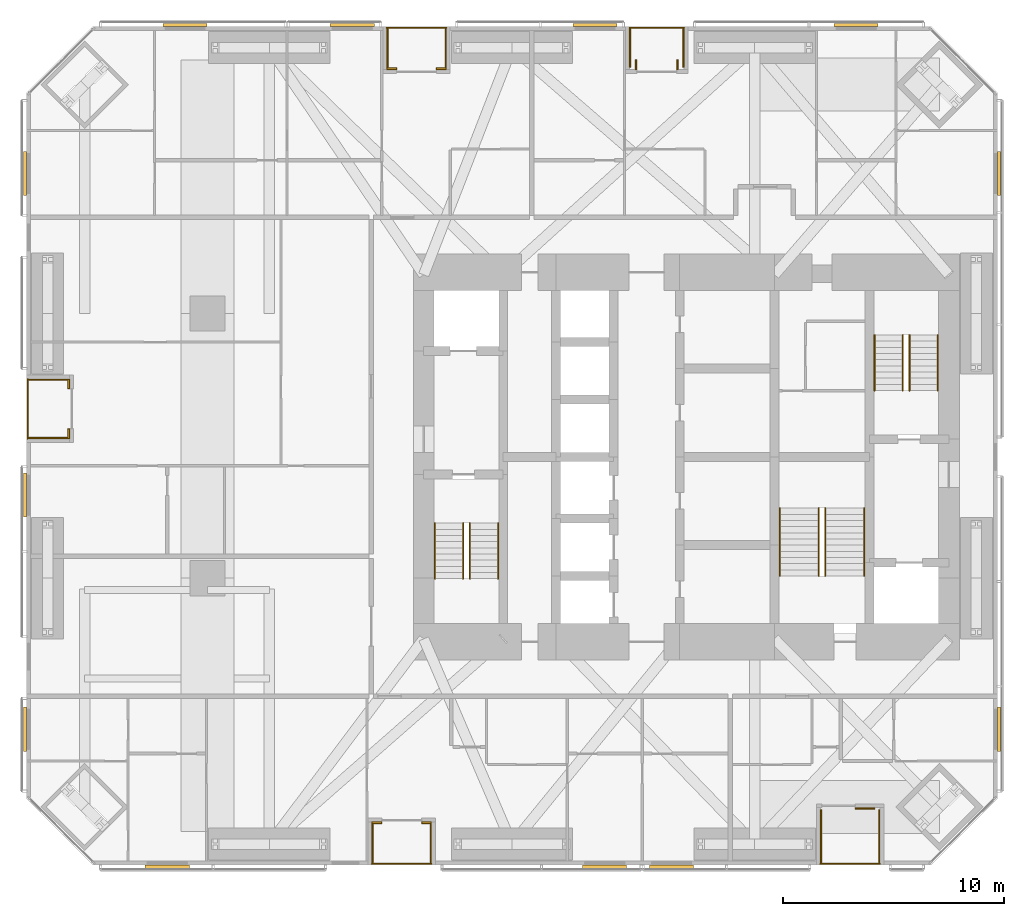
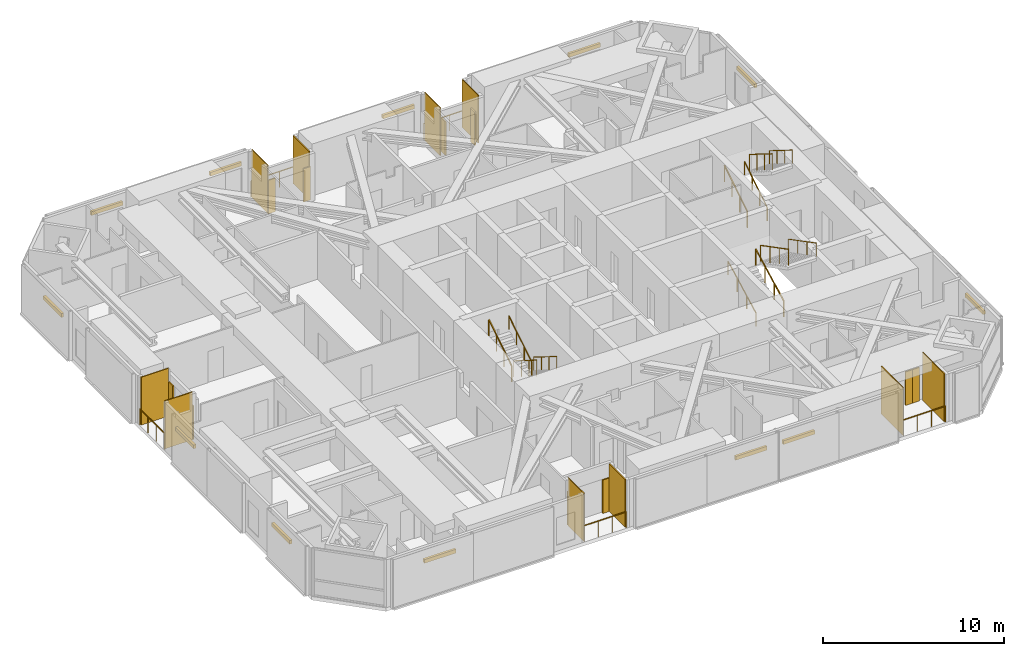
# One storey, part 22 of 22: 32 shading devices, 17 railings.
"""IFC4 building model written with IfcOpenShell, lengths in metres."""

from ifc_helpers import new_model, si_unit, direction, frame, origin, origin_2d, place, context, subcontext, project, spatial, rectangle, circle, extrude, material, layer, layer_set, constituent, constituent_set, type_object, element, save


model = new_model("IFC4")

# Units and contexts
model_context = context("Model", 3, precision=1e-05, world=origin(), true_north=direction((0.0, 1.0)))
body_context = subcontext(model_context, "Body", "Model", "MODEL_VIEW")
ifc_project = project(units=[si_unit("LENGTHUNIT", "METRE"), si_unit("AREAUNIT", "SQUARE_METRE"), si_unit("VOLUMEUNIT", "CUBIC_METRE"), si_unit("PLANEANGLEUNIT", "RADIAN"), si_unit("MASSUNIT", "GRAM", prefix="KILO")], contexts=[model_context])

# Site, building, storey
site_placement = place(None, origin())
site = spatial("IfcSite", under=ifc_project, at=site_placement, CompositionType="ELEMENT")
building_placement = place(site_placement, origin())
building = spatial("IfcBuilding", under=site, at=building_placement, Name="Jalousie Tower", CompositionType="ELEMENT")
storey_placement = place(building_placement, frame((0.0, 0.0, 71.25)))
storey = spatial("IfcBuildingStorey", under=building, at=storey_placement, Name="L19", CompositionType="ELEMENT", Elevation=71.25)

# Shading devices
ifc_material_1 = material(Name="Aluminium impact-rated louvred storm shutter", Category="aluminium")
shading_device_type_1 = type_object("IfcShadingDeviceType", Name="BI-FOLD STORM SHUTTER 900x2250", PredefinedType="SHUTTER", material=ifc_material_1)
for number, where, z_axis, x_axis, name in (
    (1, (17.875, 1.909912109375, 0.0), (0.0, 0.0, 1.0), (1.0, 0.0, 0.0), "Loggia storm shutter L19"),
    (2, (20.125, 1.909912109375, 0.0), (0.0, 0.0, 1.0), (1.0, 0.0, 0.0), "Loggia storm shutter L19"),
    (3, (39.77490234375, 2.56005859375, 0.0), (0.0, 0.0, 1.0), (1.0, 0.0, 0.0), "Loggia storm shutter L19"),
    (4, (40.22509765625, 2.56005859375, 0.0), (0.0, 0.0, 1.0), (1.0, 0.0, 0.0), "Loggia storm shutter L19"),
    (5, (31.50244140625, 36.27490234375, 0.0), (0.0, 0.0, 1.0), (0.0, -1.0, 0.0), "Loggia storm shutter L19"),
    (6, (29.62255859375, 36.27490234375, 0.0), (0.0, 0.0, 1.0), (0.0, -1.0, 0.0), "Loggia storm shutter L19"),
    (7, (20.800048828125, 36.090087890625, 0.0), (0.0, 0.0, 1.0), (-1.0, 0.0, 0.0), "Loggia storm shutter L19"),
    (8, (18.550048828125, 36.090087890625, 0.0), (0.0, 0.0, 1.0), (-1.0, 0.0, 0.0), "Loggia storm shutter L19"),
    (9, (3.909912109375, 21.800048828125, 0.0), (0.0, 0.0, 1.0), (0.0, -1.0, 0.0), "Loggia storm shutter L19"),
    (10, (3.909912109375, 19.550048828125, 0.0), (0.0, 0.0, 1.0), (0.0, -1.0, 0.0), "Loggia storm shutter L19"),
):
    element("IfcShadingDevice", number, at=place(storey_placement, frame(where, z_axis=z_axis, x_axis=x_axis)), inside=storey, type_object=shading_device_type_1, Name=name, PredefinedType="SHUTTER", context=body_context, shape_type="SweptSolid", body=[
        extrude(rectangle(XDim=0.449951171875, YDim=0.080078125, at=origin_2d()), origin(), (0.0, 0.0, 1.0), 2.25),
    ])

# Railings
ifc_material_2 = material(Name="Powder-coated aluminium fretwork", Category="aluminium")
railing_type_1 = type_object("IfcRailingType", Name="FRETWORK BALUSTRADE 1100", PredefinedType="BALUSTRADE", material=ifc_material_2)
railing_1_placement = place(storey_placement, frame((17.64990234375, 0.050048828125, 0.0)))
element("IfcRailing", 11, at=railing_1_placement, inside=storey, type_object=railing_type_1, Name="Loggia fretwork balustrade L19", PredefinedType="BALUSTRADE", context=body_context, shape_type="SweptSolid", body=[
    extrude(rectangle(XDim=0.048095703125, YDim=0.048095703125, at=origin_2d()), frame((0.0, 0.0, 1.076171875), z_axis=(1.0, 0.0, 0.0), x_axis=(0.0, 1.0, 0.0)), (0.0, 0.0, 1.0), 2.7001953125),
    extrude(circle(Radius=0.02099609375, at=origin_2d()), origin(), (0.0, 0.0, 1.0), 1.052001953125),
    extrude(circle(Radius=0.02099609375, at=origin_2d()), frame((0.900146484375, 0.0, 0.0)), (0.0, 0.0, 1.0), 1.052001953125),
    extrude(circle(Radius=0.02099609375, at=origin_2d()), frame((1.800048828125, 0.0, 0.0)), (0.0, 0.0, 1.0), 1.052001953125),
    extrude(circle(Radius=0.02099609375, at=origin_2d()), frame((2.7001953125, 0.0, 0.0)), (0.0, 0.0, 1.0), 1.052001953125),
])
railing_2_placement = place(storey_placement, frame((37.97509765625, 0.050048828125, 0.0)))
element("IfcRailing", 12, at=railing_2_placement, inside=storey, type_object=railing_type_1, Name="Loggia fretwork balustrade L19", PredefinedType="BALUSTRADE", context=body_context, shape_type="SweptSolid", body=[
    extrude(rectangle(XDim=0.048095703125, YDim=0.048095703125, at=origin_2d()), frame((0.0, 0.0, 1.076171875), z_axis=(1.0, 0.0, 0.0), x_axis=(0.0, 1.0, 0.0)), (0.0, 0.0, 1.0), 2.699951171875),
    extrude(circle(Radius=0.02099609375, at=origin_2d()), origin(), (0.0, 0.0, 1.0), 1.052001953125),
    extrude(circle(Radius=0.02099609375, at=origin_2d()), frame((0.89990234375, 0.0, 0.0)), (0.0, 0.0, 1.0), 1.052001953125),
    extrude(circle(Radius=0.02099609375, at=origin_2d()), frame((1.800048828125, 0.0, 0.0)), (0.0, 0.0, 1.0), 1.052001953125),
    extrude(circle(Radius=0.02099609375, at=origin_2d()), frame((2.699951171875, 0.0, 0.0)), (0.0, 0.0, 1.0), 1.052001953125),
])
railing_3_placement = place(storey_placement, frame((31.800048828125, 37.949951171875, 0.0)))
element("IfcRailing", 13, at=railing_3_placement, inside=storey, type_object=railing_type_1, Name="Loggia fretwork balustrade L19", PredefinedType="BALUSTRADE", context=body_context, shape_type="SweptSolid", body=[
    extrude(rectangle(XDim=0.048095703125, YDim=0.048095703125, at=origin_2d()), frame((0.0, 0.0, 1.076171875), z_axis=(-1.0, 0.0, 0.0), x_axis=(0.0, -1.0, 0.0)), (0.0, 0.0, 1.0), 2.47509765625),
    extrude(circle(Radius=0.02099609375, at=origin_2d()), origin(), (0.0, 0.0, 1.0), 1.052001953125),
    extrude(circle(Radius=0.02099609375, at=origin_2d()), frame((-0.824951171875, 0.0, 0.0)), (0.0, 0.0, 1.0), 1.052001953125),
    extrude(circle(Radius=0.02099609375, at=origin_2d()), frame((-1.650146484375, 0.0, 0.0)), (0.0, 0.0, 1.0), 1.052001953125),
    extrude(circle(Radius=0.02099609375, at=origin_2d()), frame((-2.47509765625, 0.0, 0.0)), (0.0, 0.0, 1.0), 1.052001953125),
])
railing_4_placement = place(storey_placement, frame((21.02490234375, 37.949951171875, 0.0)))
element("IfcRailing", 14, at=railing_4_placement, inside=storey, type_object=railing_type_1, Name="Loggia fretwork balustrade L19", PredefinedType="BALUSTRADE", context=body_context, shape_type="SweptSolid", body=[
    extrude(rectangle(XDim=0.048095703125, YDim=0.048095703125, at=origin_2d()), frame((0.0, 0.0, 1.076171875), z_axis=(-1.0, 0.0, 0.0), x_axis=(0.0, -1.0, 0.0)), (0.0, 0.0, 1.0), 2.699951171875),
    extrude(circle(Radius=0.02099609375, at=origin_2d()), origin(), (0.0, 0.0, 1.0), 1.052001953125),
    extrude(circle(Radius=0.02099609375, at=origin_2d()), frame((-0.89990234375, 0.0, 0.0)), (0.0, 0.0, 1.0), 1.052001953125),
    extrude(circle(Radius=0.02099609375, at=origin_2d()), frame((-1.800048828125, 0.0, 0.0)), (0.0, 0.0, 1.0), 1.052001953125),
    extrude(circle(Radius=0.02099609375, at=origin_2d()), frame((-2.699951171875, 0.0, 0.0)), (0.0, 0.0, 1.0), 1.052001953125),
])
railing_5_placement = place(storey_placement, frame((2.050048828125, 22.02490234375, 0.0)))
element("IfcRailing", 15, at=railing_5_placement, inside=storey, type_object=railing_type_1, Name="Loggia fretwork balustrade L19", PredefinedType="BALUSTRADE", context=body_context, shape_type="SweptSolid", body=[
    extrude(rectangle(XDim=0.048095703125, YDim=0.048095703125, at=origin_2d()), frame((0.0, 0.0, 1.076171875), z_axis=(0.0, -1.0, 0.0), x_axis=(1.0, 0.0, 0.0)), (0.0, 0.0, 1.0), 2.699951171875),
    extrude(circle(Radius=0.02099609375, at=origin_2d()), origin(), (0.0, 0.0, 1.0), 1.052001953125),
    extrude(circle(Radius=0.02099609375, at=origin_2d()), frame((0.0, -0.89990234375, 0.0)), (0.0, 0.0, 1.0), 1.052001953125),
    extrude(circle(Radius=0.02099609375, at=origin_2d()), frame((0.0, -1.800048828125, 0.0)), (0.0, 0.0, 1.0), 1.052001953125),
    extrude(circle(Radius=0.02099609375, at=origin_2d()), frame((0.0, -2.699951171875, 0.0)), (0.0, 0.0, 1.0), 1.052001953125),
])

# Shading devices
ifc_material_3 = material(Name="Powder-coated aluminium louvres", Category="aluminium")
ifc_layer = layer(ifc_material_3, 0.06005859375)
ifc_layer_set = layer_set([ifc_layer], Name="Powder-coated aluminium louvres")
shading_device_type_2 = type_object("IfcShadingDeviceType", Name="JALOUSIE LOUVRE SCREEN", PredefinedType="JALOUSIE", material=ifc_layer_set)
for number, where, z_axis, x_axis, name in (
    (16, (17.679931640625, 0.97509765625, 0.0), (0.0, 0.0, 1.0), (1.0, 0.0, 0.0), "Loggia jalousie louvre screen L19"),
    (17, (20.320068359375, 0.97509765625, 0.0), (0.0, 0.0, 1.0), (1.0, 0.0, 0.0), "Loggia jalousie louvre screen L19"),
):
    element("IfcShadingDevice", number, at=place(storey_placement, frame(where, z_axis=z_axis, x_axis=x_axis)), inside=storey, type_object=shading_device_type_2, Name=name, PredefinedType="JALOUSIE", context=body_context, shape_type="SweptSolid", body=[
        extrude(rectangle(XDim=0.06005859375, YDim=1.75, at=origin_2d()), origin(), (0.0, 0.0, 1.0), 3.219970703125),
    ])
for number, where, z_axis, x_axis, name in (
    (18, (38.0048828125, 1.300048828125, 0.0), (0.0, 0.0, 1.0), (1.0, 0.0, 0.0), "Loggia jalousie louvre screen L19"),
    (19, (40.64501953125, 1.300048828125, 0.0), (0.0, 0.0, 1.0), (1.0, 0.0, 0.0), "Loggia jalousie louvre screen L19"),
):
    element("IfcShadingDevice", number, at=place(storey_placement, frame(where, z_axis=z_axis, x_axis=x_axis)), inside=storey, type_object=shading_device_type_2, Name=name, PredefinedType="JALOUSIE", context=body_context, shape_type="SweptSolid", body=[
        extrude(rectangle(XDim=0.06005859375, YDim=2.39990234375, at=origin_2d()), origin(), (0.0, 0.0, 1.0), 3.219970703125),
    ])
for number, where, z_axis, x_axis, name in (
    (20, (31.77001953125, 37.02490234375, 0.0), (0.0, 0.0, 1.0), (-1.0, 0.0, 0.0), "Loggia jalousie louvre screen L19"),
    (21, (29.35498046875, 37.02490234375, 0.0), (0.0, 0.0, 1.0), (-1.0, 0.0, 0.0), "Loggia jalousie louvre screen L19"),
    (22, (20.9951171875, 37.02490234375, 0.0), (0.0, 0.0, 1.0), (-1.0, 0.0, 0.0), "Loggia jalousie louvre screen L19"),
    (23, (18.35498046875, 37.02490234375, 0.0), (0.0, 0.0, 1.0), (-1.0, 0.0, 0.0), "Loggia jalousie louvre screen L19"),
    (24, (2.97509765625, 21.9951171875, 0.0), (0.0, 0.0, 1.0), (0.0, -1.0, 0.0), "Loggia jalousie louvre screen L19"),
    (25, (2.97509765625, 19.35498046875, 0.0), (0.0, 0.0, 1.0), (0.0, -1.0, 0.0), "Loggia jalousie louvre screen L19"),
):
    element("IfcShadingDevice", number, at=place(storey_placement, frame(where, z_axis=z_axis, x_axis=x_axis)), inside=storey, type_object=shading_device_type_2, Name=name, PredefinedType="JALOUSIE", context=body_context, shape_type="SweptSolid", body=[
        extrude(rectangle(XDim=0.06005859375, YDim=1.75, at=origin_2d()), origin(), (0.0, 0.0, 1.0), 3.219970703125),
    ])

# Railings
ifc_material_4 = material(Name="Steel ASTM A500 Grade C", Category="steel")
ifc_constituent_1 = constituent(ifc_material_4, Name="Body")
ifc_material_5 = material(Name="Hot-dip galvanised zinc coating")
ifc_constituent_2 = constituent(ifc_material_5, Name="Finish")
ifc_constituent_set_1 = constituent_set(constituents=[ifc_constituent_1, ifc_constituent_2])
railing_type_2 = type_object("IfcRailingType", Name="STAIR GUARD 1100", PredefinedType="GUARDRAIL", material=ifc_constituent_set_1)
railing_6_placement = place(storey_placement, frame((22.092529296875, 15.49755859375, 0.175048828125)))
element("IfcRailing", 26, at=railing_6_placement, inside=storey, type_object=railing_type_2, Name="Exit stair A guard L19 flight 1", PredefinedType="GUARDRAIL", context=body_context, shape_type="SweptSolid", body=[
    extrude(rectangle(XDim=0.048095703125, YDim=0.048095703125, at=origin_2d()), frame((0.0, 0.0, 1.076171875), z_axis=(0.0, -0.848007534815, 0.529984170421), x_axis=(1.0, 0.0, 0.0)), (0.0, 0.0, 1.0), 2.9716796875),
    extrude(circle(Radius=0.02099609375, at=origin_2d()), origin(), (0.0, 0.0, 1.0), 1.052001953125),
    extrude(circle(Radius=0.02099609375, at=origin_2d()), frame((0.0, -0.840087890625, 0.52490234375)), (0.0, 0.0, 1.0), 1.052001953125),
    extrude(circle(Radius=0.02099609375, at=origin_2d()), frame((0.0, -1.679931640625, 1.050048828125)), (0.0, 0.0, 1.0), 1.052001953125),
    extrude(circle(Radius=0.02099609375, at=origin_2d()), frame((0.0, -2.52001953125, 1.574951171875)), (0.0, 0.0, 1.0), 1.052001953125),
])
for number, where, name in (
    (27, (20.5048828125, 12.9775390625, 1.925048828125), "Exit stair A guard L19 flight 2"),
    (28, (40.43017578125, 21.50244140625, 0.175048828125), "Exit stair B guard L19 flight 1"),
):
    element("IfcRailing", number, at=place(storey_placement, frame(where)), inside=storey, type_object=railing_type_2, Name=name, PredefinedType="GUARDRAIL", context=body_context, shape_type="SweptSolid", body=[
        extrude(rectangle(XDim=0.048095703125, YDim=0.048095703125, at=origin_2d()), frame((0.0, 0.0, 1.076171875), z_axis=(0.0, 0.848007534815, 0.529984170421), x_axis=(-1.0, 0.0, 0.0)), (0.0, 0.0, 1.0), 2.9716796875),
        extrude(circle(Radius=0.02099609375, at=origin_2d()), origin(), (0.0, 0.0, 1.0), 1.052001953125),
        extrude(circle(Radius=0.02099609375, at=origin_2d()), frame((0.0, 0.840087890625, 0.52490234375)), (0.0, 0.0, 1.0), 1.052001953125),
        extrude(circle(Radius=0.02099609375, at=origin_2d()), frame((0.0, 1.679931640625, 1.050048828125)), (0.0, 0.0, 1.0), 1.052001953125),
        extrude(circle(Radius=0.02099609375, at=origin_2d()), frame((0.0, 2.52001953125, 1.574951171875)), (0.0, 0.0, 1.0), 1.052001953125),
    ])
railing_7_placement = place(storey_placement, frame((42.017578125, 24.0224609375, 1.925048828125)))
element("IfcRailing", 29, at=railing_7_placement, inside=storey, type_object=railing_type_2, Name="Exit stair B guard L19 flight 2", PredefinedType="GUARDRAIL", context=body_context, shape_type="SweptSolid", body=[
    extrude(rectangle(XDim=0.048095703125, YDim=0.048095703125, at=origin_2d()), frame((0.0, 0.0, 1.076171875), z_axis=(0.0, -0.848007534815, 0.529984170421), x_axis=(1.0, 0.0, 0.0)), (0.0, 0.0, 1.0), 2.9716796875),
    extrude(circle(Radius=0.02099609375, at=origin_2d()), origin(), (0.0, 0.0, 1.0), 1.052001953125),
    extrude(circle(Radius=0.02099609375, at=origin_2d()), frame((0.0, -0.840087890625, 0.52490234375)), (0.0, 0.0, 1.0), 1.052001953125),
    extrude(circle(Radius=0.02099609375, at=origin_2d()), frame((0.0, -1.679931640625, 1.050048828125)), (0.0, 0.0, 1.0), 1.052001953125),
    extrude(circle(Radius=0.02099609375, at=origin_2d()), frame((0.0, -2.52001953125, 1.574951171875)), (0.0, 0.0, 1.0), 1.052001953125),
])
railing_8_placement = place(storey_placement, frame((37.89501953125, 13.097412109375, 0.145751953125)))
element("IfcRailing", 30, at=railing_8_placement, inside=storey, type_object=railing_type_2, Name="Exit stair C guard L19 flight 1", PredefinedType="GUARDRAIL", context=body_context, shape_type="SweptSolid", body=[
    extrude(rectangle(XDim=0.048095703125, YDim=0.048095703125, at=origin_2d()), frame((0.0, 0.0, 1.076171875), z_axis=(0.0, 0.886909283822, 0.461943635383), x_axis=(-1.0, 0.0, 0.0)), (0.0, 0.0, 1.0), 3.472900390625),
    extrude(circle(Radius=0.02099609375, at=origin_2d()), origin(), (0.0, 0.0, 1.0), 1.052001953125),
    extrude(circle(Radius=0.02099609375, at=origin_2d()), frame((0.0, 1.026611328125, 0.53466796875)), (0.0, 0.0, 1.0), 1.052001953125),
    extrude(circle(Radius=0.02099609375, at=origin_2d()), frame((0.0, 2.053466796875, 1.069580078125)), (0.0, 0.0, 1.0), 1.052001953125),
    extrude(circle(Radius=0.02099609375, at=origin_2d()), frame((0.0, 3.080078125, 1.604248046875)), (0.0, 0.0, 1.0), 1.052001953125),
])
railing_9_placement = place(storey_placement, frame((38.205078125, 16.177490234375, 1.895751953125)))
element("IfcRailing", 31, at=railing_9_placement, inside=storey, type_object=railing_type_2, Name="Exit stair C guard L19 flight 2", PredefinedType="GUARDRAIL", context=body_context, shape_type="SweptSolid", body=[
    extrude(rectangle(XDim=0.048095703125, YDim=0.048095703125, at=origin_2d()), frame((0.0, 0.0, 1.076171875), z_axis=(0.0, -0.886909283822, 0.461943635383), x_axis=(1.0, 0.0, 0.0)), (0.0, 0.0, 1.0), 3.472900390625),
    extrude(circle(Radius=0.02099609375, at=origin_2d()), origin(), (0.0, 0.0, 1.0), 1.052001953125),
    extrude(circle(Radius=0.02099609375, at=origin_2d()), frame((0.0, -1.026611328125, 0.53466796875)), (0.0, 0.0, 1.0), 1.052001953125),
    extrude(circle(Radius=0.02099609375, at=origin_2d()), frame((0.0, -2.053466796875, 1.069580078125)), (0.0, 0.0, 1.0), 1.052001953125),
    extrude(circle(Radius=0.02099609375, at=origin_2d()), frame((0.0, -3.080078125, 1.604248046875)), (0.0, 0.0, 1.0), 1.052001953125),
])
ifc_material_6 = material(Name="Steel ASTM A500 Grade C", Category="steel")
ifc_constituent_3 = constituent(ifc_material_6, Name="Body")
ifc_material_7 = material(Name="Hot-dip galvanised zinc coating")
ifc_constituent_4 = constituent(ifc_material_7, Name="Finish")
ifc_constituent_set_2 = constituent_set(constituents=[ifc_constituent_3, ifc_constituent_4])
railing_type_3 = type_object("IfcRailingType", Name="STAIR HANDRAIL 900", PredefinedType="HANDRAIL", material=ifc_constituent_set_2)
railing_10_placement = place(storey_placement, frame((23.3701171875, 15.49755859375, 0.175048828125)))
element("IfcRailing", 32, at=railing_10_placement, inside=storey, type_object=railing_type_3, Name="Exit stair A handrail L19 flight 1", PredefinedType="HANDRAIL", context=body_context, shape_type="SweptSolid", body=[
    extrude(circle(Radius=0.02392578125, at=origin_2d()), frame((0.0, 0.0, 0.8759765625), z_axis=(0.0, -0.848007534815, 0.529984170421), x_axis=(1.0, 0.0, 0.0)), (0.0, 0.0, 1.0), 2.9716796875),
    extrude(circle(Radius=0.02099609375, at=origin_2d()), origin(), (0.0, 0.0, 1.0), 0.851806640625),
    extrude(circle(Radius=0.02099609375, at=origin_2d()), frame((0.0, -0.840087890625, 0.52490234375)), (0.0, 0.0, 1.0), 0.851806640625),
    extrude(circle(Radius=0.02099609375, at=origin_2d()), frame((0.0, -1.679931640625, 1.050048828125)), (0.0, 0.0, 1.0), 0.851806640625),
    extrude(circle(Radius=0.02099609375, at=origin_2d()), frame((0.0, -2.52001953125, 1.574951171875)), (0.0, 0.0, 1.0), 0.851806640625),
])
for number, where, name in (
    (33, (21.78271484375, 12.9775390625, 1.925048828125), "Exit stair A handrail L19 flight 2"),
    (34, (41.70751953125, 21.50244140625, 0.175048828125), "Exit stair B handrail L19 flight 1"),
):
    element("IfcRailing", number, at=place(storey_placement, frame(where)), inside=storey, type_object=railing_type_3, Name=name, PredefinedType="HANDRAIL", context=body_context, shape_type="SweptSolid", body=[
        extrude(circle(Radius=0.02392578125, at=origin_2d()), frame((0.0, 0.0, 0.8759765625), z_axis=(0.0, 0.848007534815, 0.529984170421), x_axis=(-1.0, 0.0, 0.0)), (0.0, 0.0, 1.0), 2.9716796875),
        extrude(circle(Radius=0.02099609375, at=origin_2d()), origin(), (0.0, 0.0, 1.0), 0.851806640625),
        extrude(circle(Radius=0.02099609375, at=origin_2d()), frame((0.0, 0.840087890625, 0.52490234375)), (0.0, 0.0, 1.0), 0.851806640625),
        extrude(circle(Radius=0.02099609375, at=origin_2d()), frame((0.0, 1.679931640625, 1.050048828125)), (0.0, 0.0, 1.0), 0.851806640625),
        extrude(circle(Radius=0.02099609375, at=origin_2d()), frame((0.0, 2.52001953125, 1.574951171875)), (0.0, 0.0, 1.0), 0.851806640625),
    ])
railing_11_placement = place(storey_placement, frame((43.294921875, 24.0224609375, 1.925048828125)))
element("IfcRailing", 35, at=railing_11_placement, inside=storey, type_object=railing_type_3, Name="Exit stair B handrail L19 flight 2", PredefinedType="HANDRAIL", context=body_context, shape_type="SweptSolid", body=[
    extrude(circle(Radius=0.02392578125, at=origin_2d()), frame((0.0, 0.0, 0.8759765625), z_axis=(0.0, -0.848007534815, 0.529984170421), x_axis=(1.0, 0.0, 0.0)), (0.0, 0.0, 1.0), 2.9716796875),
    extrude(circle(Radius=0.02099609375, at=origin_2d()), origin(), (0.0, 0.0, 1.0), 0.851806640625),
    extrude(circle(Radius=0.02099609375, at=origin_2d()), frame((0.0, -0.840087890625, 0.52490234375)), (0.0, 0.0, 1.0), 0.851806640625),
    extrude(circle(Radius=0.02099609375, at=origin_2d()), frame((0.0, -1.679931640625, 1.050048828125)), (0.0, 0.0, 1.0), 0.851806640625),
    extrude(circle(Radius=0.02099609375, at=origin_2d()), frame((0.0, -2.52001953125, 1.574951171875)), (0.0, 0.0, 1.0), 0.851806640625),
])
railing_12_placement = place(storey_placement, frame((36.1298828125, 13.097412109375, 0.145751953125)))
element("IfcRailing", 36, at=railing_12_placement, inside=storey, type_object=railing_type_3, Name="Exit stair C handrail L19 flight 1", PredefinedType="HANDRAIL", context=body_context, shape_type="SweptSolid", body=[
    extrude(circle(Radius=0.02392578125, at=origin_2d()), frame((0.0, 0.0, 0.8759765625), z_axis=(0.0, 0.886909283822, 0.461943635383), x_axis=(-1.0, 0.0, 0.0)), (0.0, 0.0, 1.0), 3.472900390625),
    extrude(circle(Radius=0.02099609375, at=origin_2d()), origin(), (0.0, 0.0, 1.0), 0.851806640625),
    extrude(circle(Radius=0.02099609375, at=origin_2d()), frame((0.0, 1.026611328125, 0.53466796875)), (0.0, 0.0, 1.0), 0.851806640625),
    extrude(circle(Radius=0.02099609375, at=origin_2d()), frame((0.0, 2.053466796875, 1.069580078125)), (0.0, 0.0, 1.0), 0.851806640625),
    extrude(circle(Radius=0.02099609375, at=origin_2d()), frame((0.0, 3.080078125, 1.604248046875)), (0.0, 0.0, 1.0), 0.851806640625),
])
railing_13_placement = place(storey_placement, frame((39.969970703125, 16.177490234375, 1.895751953125)))
element("IfcRailing", 37, at=railing_13_placement, inside=storey, type_object=railing_type_3, Name="Exit stair C handrail L19 flight 2", PredefinedType="HANDRAIL", context=body_context, shape_type="SweptSolid", body=[
    extrude(circle(Radius=0.02392578125, at=origin_2d()), frame((0.0, 0.0, 0.8759765625), z_axis=(0.0, -0.886909283822, 0.461943635383), x_axis=(1.0, 0.0, 0.0)), (0.0, 0.0, 1.0), 3.472900390625),
    extrude(circle(Radius=0.02099609375, at=origin_2d()), origin(), (0.0, 0.0, 1.0), 0.851806640625),
    extrude(circle(Radius=0.02099609375, at=origin_2d()), frame((0.0, -1.026611328125, 0.53466796875)), (0.0, 0.0, 1.0), 0.851806640625),
    extrude(circle(Radius=0.02099609375, at=origin_2d()), frame((0.0, -2.053466796875, 1.069580078125)), (0.0, 0.0, 1.0), 0.851806640625),
    extrude(circle(Radius=0.02099609375, at=origin_2d()), frame((0.0, -3.080078125, 1.604248046875)), (0.0, 0.0, 1.0), 0.851806640625),
])

# Shading devices
ifc_material_8 = material(Name="Aluminium roller storm shutter", Category="aluminium")
shading_device_type_3 = type_object("IfcShadingDeviceType", Name="STORM SHUTTER HOUSING", PredefinedType="SHUTTER", material=ifc_material_8)
for number, where, z_axis, x_axis, name in (
    (38, (8.375, -0.074951171875, 2.25), (0.0, 0.0, 1.0), (1.0, 0.0, 0.0), "Storm shutter L19"),
    (39, (28.199951171875, -0.074951171875, 2.25), (0.0, 0.0, 1.0), (1.0, 0.0, 0.0), "Storm shutter L19"),
    (40, (31.235107421875, -0.074951171875, 2.25), (0.0, 0.0, 1.0), (1.0, 0.0, 0.0), "Storm shutter L19"),
    (41, (46.074951171875, 6.15576171875, 2.25), (0.0, 0.0, 1.0), (0.0, 1.0, 0.0), "Storm shutter L19"),
    (42, (46.074951171875, 31.34423828125, 2.25), (0.0, 0.0, 1.0), (0.0, 1.0, 0.0), "Storm shutter L19"),
    (43, (39.60009765625, 38.074951171875, 2.25), (0.0, 0.0, 1.0), (-1.0, 0.0, 0.0), "Storm shutter L19"),
    (44, (27.760009765625, 38.074951171875, 2.25), (0.0, 0.0, 1.0), (-1.0, 0.0, 0.0), "Storm shutter L19"),
    (45, (16.757568359375, 38.074951171875, 2.25), (0.0, 0.0, 1.0), (-1.0, 0.0, 0.0), "Storm shutter L19"),
    (46, (9.18505859375, 38.074951171875, 2.25), (0.0, 0.0, 1.0), (-1.0, 0.0, 0.0), "Storm shutter L19"),
    (47, (1.925048828125, 31.34423828125, 2.25), (0.0, 0.0, 1.0), (0.0, -1.0, 0.0), "Storm shutter L19"),
    (48, (1.925048828125, 16.762451171875, 2.25), (0.0, 0.0, 1.0), (0.0, -1.0, 0.0), "Storm shutter L19"),
    (49, (1.925048828125, 6.15576171875, 2.25), (0.0, 0.0, 1.0), (0.0, -1.0, 0.0), "Storm shutter L19"),
):
    element("IfcShadingDevice", number, at=place(storey_placement, frame(where, z_axis=z_axis, x_axis=x_axis)), inside=storey, type_object=shading_device_type_3, Name=name, PredefinedType="SHUTTER", context=body_context, shape_type="SweptSolid", body=[
        extrude(rectangle(XDim=2.0, YDim=0.14990234375, at=origin_2d()), origin(), (0.0, 0.0, 1.0), 0.25),
    ])

save(model, "model.ifc")
